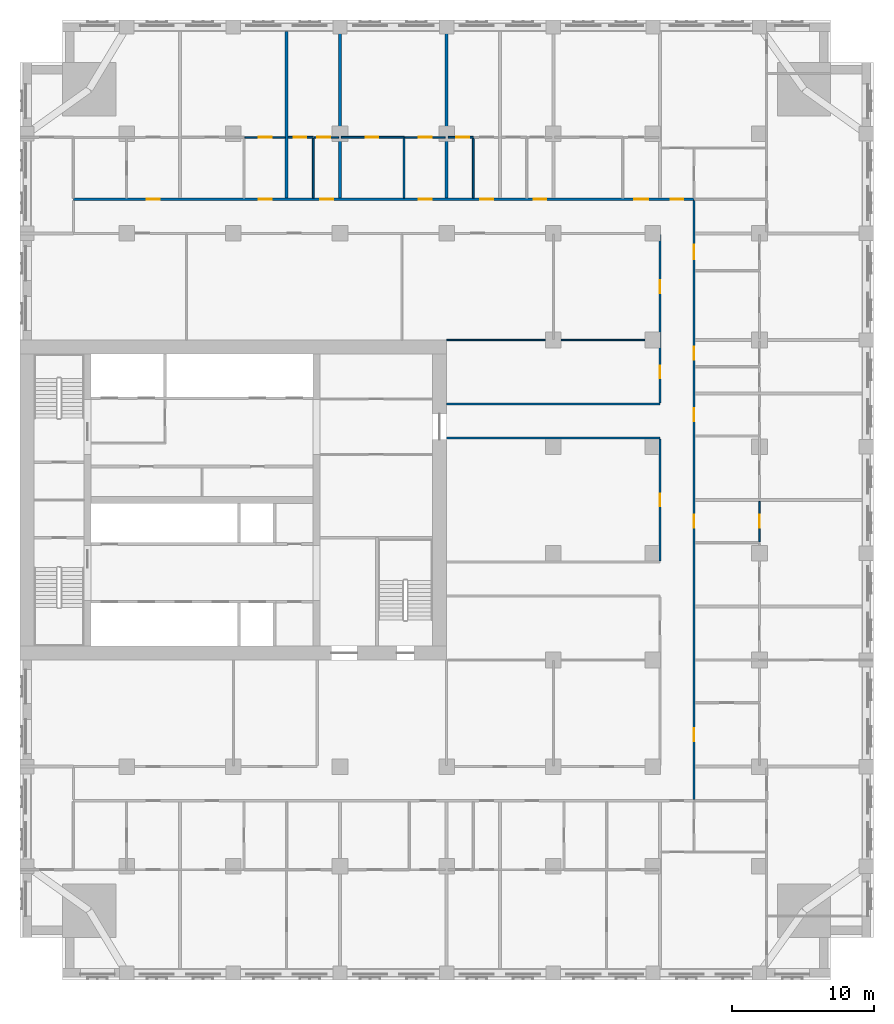
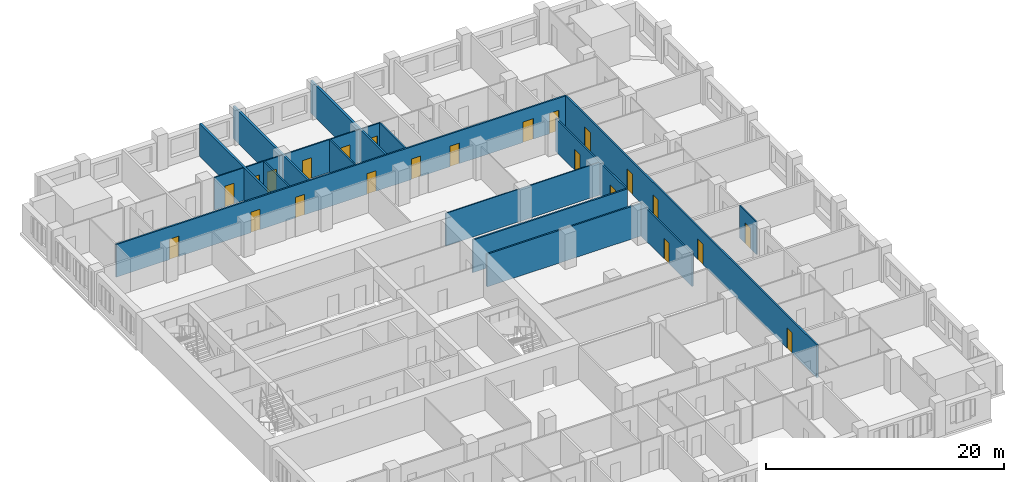
# One storey, part 9 of 14: 23 doors, 20 walls, 23 openings.
"""IFC4 building model written with IfcOpenShell, lengths in metres."""

from ifc_helpers import new_model, si_unit, direction, frame, frame_2d, origin, place, context, subcontext, project, spatial, rectangle, extrude, material, layer, layer_set, type_object, element, fill, save


model = new_model("IFC4")

# Units and contexts
model_context = context("Model", 3, precision=1e-05, world=origin(), true_north=direction((0.0, 1.0)))
body_context = subcontext(model_context, "Body", "Model", "MODEL_VIEW")
ifc_project = project(units=[si_unit("LENGTHUNIT", "METRE"), si_unit("AREAUNIT", "SQUARE_METRE"), si_unit("VOLUMEUNIT", "CUBIC_METRE"), si_unit("PLANEANGLEUNIT", "RADIAN"), si_unit("MASSUNIT", "GRAM", prefix="KILO")], contexts=[model_context])

# Site, building, storey
site_placement = place(None, origin())
site = spatial("IfcSite", under=ifc_project, at=site_placement, CompositionType="ELEMENT")
building_placement = place(site_placement, origin())
building = spatial("IfcBuilding", under=site, at=building_placement, Name="Tamorin Gate", CompositionType="ELEMENT")
storey_placement = place(building_placement, frame((0.0, 0.0, 107.89990234375)))
storey = spatial("IfcBuildingStorey", under=building, at=storey_placement, Name="L26", CompositionType="ELEMENT", Elevation=107.89990234375)

# Wall, openings, doors
ifc_material_1 = material(Name="Gypsum board partition")
ifc_layer_1 = layer(ifc_material_1, 0.14990234375)
ifc_layer_set_1 = layer_set([ifc_layer_1], Name="Corridor wall 150")
wall_type_1 = type_object("IfcWallType", Name="Corridor wall 150", PredefinedType="PARTITIONING", material=ifc_layer_set_1)
wall_1_placement = place(storey_placement, frame((33.75, 92.39990234375, 0.0), z_axis=(0.0, 0.0, 1.0), x_axis=(1.0, 0.0, 0.0)))
wall_1 = element("IfcWall", 1, at=wall_1_placement, inside=storey, type_object=wall_type_1, Name="Corridor wall 150", PredefinedType="PARTITIONING", context=body_context, shape_type="SweptSolid", body=[
    extrude(rectangle(XDim=43.64990234375, YDim=0.14990234375, at=frame_2d((21.824951171875, 0.0))), origin(), (0.0, 0.0, 1.0), 3.35009765625),
])
opening_1_placement = place(wall_1_placement, frame((5.175048828125, 0.0, 0.0)))
opening_1 = element("IfcOpeningElement", 2, at=opening_1_placement, cuts=wall_1, Name="Opening DH5023", PredefinedType="OPENING", context=body_context, shape_type="SweptSolid", body=[
    extrude(rectangle(XDim=0.89990234375, YDim=2.10009765625, at=frame_2d((0.449951171875, 1.050048828125))), frame((0.0, 0.0849609375, 0.0), z_axis=(0.0, -1.0, 0.0), x_axis=(1.0, 0.0, 0.0)), (0.0, 0.0, 1.0), 0.169921875),
])
opening_2_placement = place(wall_1_placement, frame((13.050048828125, 0.0, 0.0)))
opening_2 = element("IfcOpeningElement", 3, at=opening_2_placement, cuts=wall_1, Name="Opening DH5026", PredefinedType="OPENING", context=body_context, shape_type="SweptSolid", body=[
    extrude(rectangle(XDim=0.89990234375, YDim=2.10009765625, at=frame_2d((0.449951171875, 1.050048828125))), frame((0.0, 0.0849609375, 0.0), z_axis=(0.0, -1.0, 0.0), x_axis=(1.0, 0.0, 0.0)), (0.0, 0.0, 1.0), 0.169921875),
])
opening_3_placement = place(wall_1_placement, frame((17.362548828125, 0.0, 0.0)))
opening_3 = element("IfcOpeningElement", 4, at=opening_3_placement, cuts=wall_1, Name="Opening DH5029", PredefinedType="OPENING", context=body_context, shape_type="SweptSolid", body=[
    extrude(rectangle(XDim=0.89990234375, YDim=2.10009765625, at=frame_2d((0.449951171875, 1.050048828125))), frame((0.0, 0.0849609375, 0.0), z_axis=(0.0, -1.0, 0.0), x_axis=(1.0, 0.0, 0.0)), (0.0, 0.0, 1.0), 0.169921875),
])
opening_4_placement = place(wall_1_placement, frame((24.300048828125, 0.0, 0.0)))
opening_4 = element("IfcOpeningElement", 5, at=opening_4_placement, cuts=wall_1, Name="Opening DH5032", PredefinedType="OPENING", context=body_context, shape_type="SweptSolid", body=[
    extrude(rectangle(XDim=0.89990234375, YDim=2.10009765625, at=frame_2d((0.449951171875, 1.050048828125))), frame((0.0, 0.0849609375, 0.0), z_axis=(0.0, -1.0, 0.0), x_axis=(1.0, 0.0, 0.0)), (0.0, 0.0, 1.0), 0.169921875),
])
opening_5_placement = place(wall_1_placement, frame((28.612548828125, 0.0, 0.0)))
opening_5 = element("IfcOpeningElement", 6, at=opening_5_placement, cuts=wall_1, Name="Opening DH5035", PredefinedType="OPENING", context=body_context, shape_type="SweptSolid", body=[
    extrude(rectangle(XDim=0.89990234375, YDim=2.10009765625, at=frame_2d((0.449951171875, 1.050048828125))), frame((0.0, 0.0849609375, 0.0), z_axis=(0.0, -1.0, 0.0), x_axis=(1.0, 0.0, 0.0)), (0.0, 0.0, 1.0), 0.169921875),
])
opening_6_placement = place(wall_1_placement, frame((32.362548828125, 0.0, 0.0)))
opening_6 = element("IfcOpeningElement", 7, at=opening_6_placement, cuts=wall_1, Name="Opening DH5038", PredefinedType="OPENING", context=body_context, shape_type="SweptSolid", body=[
    extrude(rectangle(XDim=0.89990234375, YDim=2.10009765625, at=frame_2d((0.449951171875, 1.050048828125))), frame((0.0, 0.0849609375, 0.0), z_axis=(0.0, -1.0, 0.0), x_axis=(1.0, 0.0, 0.0)), (0.0, 0.0, 1.0), 0.169921875),
])
opening_7_placement = place(wall_1_placement, frame((39.4375, 0.0, 0.0)))
opening_7 = element("IfcOpeningElement", 8, at=opening_7_placement, cuts=wall_1, Name="Opening DH5041", PredefinedType="OPENING", context=body_context, shape_type="SweptSolid", body=[
    extrude(rectangle(XDim=1.0, YDim=2.10009765625, at=frame_2d((0.5, 1.050048828125))), frame((0.0, 0.0849609375, 0.0), z_axis=(0.0, -1.0, 0.0), x_axis=(1.0, 0.0, 0.0)), (0.0, 0.0, 1.0), 0.169921875),
])
opening_8_placement = place(wall_1_placement, frame((42.0, 0.0, 0.0)))
opening_8 = element("IfcOpeningElement", 9, at=opening_8_placement, cuts=wall_1, Name="Opening DH5066", PredefinedType="OPENING", context=body_context, shape_type="SweptSolid", body=[
    extrude(rectangle(XDim=0.89990234375, YDim=2.10009765625, at=frame_2d((0.449951171875, 1.050048828125))), frame((0.0, 0.0849609375, 0.0), z_axis=(0.0, -1.0, 0.0), x_axis=(1.0, 0.0, 0.0)), (0.0, 0.0, 1.0), 0.169921875),
])
ifc_material_2 = material(Name="Timber door leaf", Category="wood")
door_type_1 = type_object("IfcDoorType", Name="Door 1000 x 2100 FD30S", OperationType="NOTDEFINED", PredefinedType="DOOR", material=ifc_material_2)
door_1_placement = place(opening_7_placement, origin())
door_1 = element("IfcDoor", 10, at=door_1_placement, inside=storey, type_object=door_type_1, Name="Door DH5041", OperationType="SINGLE_SWING_LEFT", OverallHeight=2.10009765625, OverallWidth=1.0, PredefinedType="DOOR", context=body_context, shape_type="SweptSolid", body=[
    extrude(rectangle(XDim=1.0, YDim=2.10009765625, at=frame_2d((0.5, 1.050048828125))), frame((0.0, 0.02490234375, 0.0), z_axis=(0.0, -1.0, 0.0), x_axis=(1.0, 0.0, 0.0)), (0.0, 0.0, 1.0), 0.050048828125),
])
fill(opening_7, door_1)
door_type_2 = type_object("IfcDoorType", Name="Door 900 x 2100 FD30S", OperationType="NOTDEFINED", PredefinedType="DOOR", material=ifc_material_2)
door_2_placement = place(opening_1_placement, origin())
door_2 = element("IfcDoor", 11, at=door_2_placement, inside=storey, type_object=door_type_2, Name="Door DH5023", OperationType="SINGLE_SWING_LEFT", OverallHeight=2.10009765625, OverallWidth=0.89990234375, PredefinedType="DOOR", context=body_context, shape_type="SweptSolid", body=[
    extrude(rectangle(XDim=0.89990234375, YDim=2.10009765625, at=frame_2d((0.449951171875, 1.050048828125))), frame((0.0, 0.02490234375, 0.0), z_axis=(0.0, -1.0, 0.0), x_axis=(1.0, 0.0, 0.0)), (0.0, 0.0, 1.0), 0.050048828125),
])
fill(opening_1, door_2)
door_3_placement = place(opening_2_placement, origin())
door_3 = element("IfcDoor", 12, at=door_3_placement, inside=storey, type_object=door_type_2, Name="Door DH5026", OperationType="SINGLE_SWING_LEFT", OverallHeight=2.10009765625, OverallWidth=0.89990234375, PredefinedType="DOOR", context=body_context, shape_type="SweptSolid", body=[
    extrude(rectangle(XDim=0.89990234375, YDim=2.10009765625, at=frame_2d((0.449951171875, 1.050048828125))), frame((0.0, 0.02490234375, 0.0), z_axis=(0.0, -1.0, 0.0), x_axis=(1.0, 0.0, 0.0)), (0.0, 0.0, 1.0), 0.050048828125),
])
fill(opening_2, door_3)
door_4_placement = place(opening_3_placement, origin())
door_4 = element("IfcDoor", 13, at=door_4_placement, inside=storey, type_object=door_type_2, Name="Door DH5029", OperationType="SINGLE_SWING_LEFT", OverallHeight=2.10009765625, OverallWidth=0.89990234375, PredefinedType="DOOR", context=body_context, shape_type="SweptSolid", body=[
    extrude(rectangle(XDim=0.89990234375, YDim=2.10009765625, at=frame_2d((0.449951171875, 1.050048828125))), frame((0.0, 0.02490234375, 0.0), z_axis=(0.0, -1.0, 0.0), x_axis=(1.0, 0.0, 0.0)), (0.0, 0.0, 1.0), 0.050048828125),
])
fill(opening_3, door_4)
door_5_placement = place(opening_4_placement, origin())
door_5 = element("IfcDoor", 14, at=door_5_placement, inside=storey, type_object=door_type_2, Name="Door DH5032", OperationType="SINGLE_SWING_LEFT", OverallHeight=2.10009765625, OverallWidth=0.89990234375, PredefinedType="DOOR", context=body_context, shape_type="SweptSolid", body=[
    extrude(rectangle(XDim=0.89990234375, YDim=2.10009765625, at=frame_2d((0.449951171875, 1.050048828125))), frame((0.0, 0.02490234375, 0.0), z_axis=(0.0, -1.0, 0.0), x_axis=(1.0, 0.0, 0.0)), (0.0, 0.0, 1.0), 0.050048828125),
])
fill(opening_4, door_5)
door_6_placement = place(opening_5_placement, origin())
door_6 = element("IfcDoor", 15, at=door_6_placement, inside=storey, type_object=door_type_2, Name="Door DH5035", OperationType="SINGLE_SWING_LEFT", OverallHeight=2.10009765625, OverallWidth=0.89990234375, PredefinedType="DOOR", context=body_context, shape_type="SweptSolid", body=[
    extrude(rectangle(XDim=0.89990234375, YDim=2.10009765625, at=frame_2d((0.449951171875, 1.050048828125))), frame((0.0, 0.02490234375, 0.0), z_axis=(0.0, -1.0, 0.0), x_axis=(1.0, 0.0, 0.0)), (0.0, 0.0, 1.0), 0.050048828125),
])
fill(opening_5, door_6)
door_7_placement = place(opening_6_placement, origin())
door_7 = element("IfcDoor", 16, at=door_7_placement, inside=storey, type_object=door_type_2, Name="Door DH5038", OperationType="SINGLE_SWING_LEFT", OverallHeight=2.10009765625, OverallWidth=0.89990234375, PredefinedType="DOOR", context=body_context, shape_type="SweptSolid", body=[
    extrude(rectangle(XDim=0.89990234375, YDim=2.10009765625, at=frame_2d((0.449951171875, 1.050048828125))), frame((0.0, 0.02490234375, 0.0), z_axis=(0.0, -1.0, 0.0), x_axis=(1.0, 0.0, 0.0)), (0.0, 0.0, 1.0), 0.050048828125),
])
fill(opening_6, door_7)
door_8_placement = place(opening_8_placement, origin())
door_8 = element("IfcDoor", 17, at=door_8_placement, inside=storey, type_object=door_type_2, Name="Door DH5066", OperationType="SINGLE_SWING_RIGHT", OverallHeight=2.10009765625, OverallWidth=0.89990234375, PredefinedType="DOOR", context=body_context, shape_type="SweptSolid", body=[
    extrude(rectangle(XDim=0.89990234375, YDim=2.10009765625, at=frame_2d((0.449951171875, 1.050048828125))), frame((0.0, 0.02490234375, 0.0), z_axis=(0.0, -1.0, 0.0), x_axis=(1.0, 0.0, 0.0)), (0.0, 0.0, 1.0), 0.050048828125),
])
fill(opening_8, door_8)

# Wall, opening, door
wall_2_placement = place(storey_placement, frame((75.0, 66.97509765625, 0.0), z_axis=(0.0, 0.0, 1.0), x_axis=(0.0, 1.0, 0.0)))
wall_2 = element("IfcWall", 18, at=wall_2_placement, inside=storey, type_object=wall_type_1, Name="Corridor wall 150", PredefinedType="PARTITIONING", context=body_context, shape_type="SweptSolid", body=[
    extrude(rectangle(XDim=8.5498046875, YDim=0.14990234375, at=frame_2d((4.27490234375, 0.0))), origin(), (0.0, 0.0, 1.0), 3.35009765625),
])
opening_9_placement = place(wall_2_placement, frame((3.824951171875, 0.0, 0.0)))
opening_9 = element("IfcOpeningElement", 19, at=opening_9_placement, cuts=wall_2, Name="Opening DH5081", PredefinedType="OPENING", context=body_context, shape_type="SweptSolid", body=[
    extrude(rectangle(XDim=0.89990234375, YDim=2.10009765625, at=frame_2d((0.449951171875, 1.050048828125))), frame((0.0, 0.0849609375, 0.0), z_axis=(0.0, -1.0, 0.0), x_axis=(1.0, 0.0, 0.0)), (0.0, 0.0, 1.0), 0.169921875),
])
door_9_placement = place(opening_9_placement, origin())
door_9 = element("IfcDoor", 20, at=door_9_placement, inside=storey, type_object=door_type_2, Name="Door DH5081", OperationType="SINGLE_SWING_LEFT", OverallHeight=2.10009765625, OverallWidth=0.89990234375, PredefinedType="DOOR", context=body_context, shape_type="SweptSolid", body=[
    extrude(rectangle(XDim=0.89990234375, YDim=2.10009765625, at=frame_2d((0.449951171875, 1.050048828125))), frame((0.0, 0.02490234375, 0.0), z_axis=(0.0, -1.0, 0.0), x_axis=(1.0, 0.0, 0.0)), (0.0, 0.0, 1.0), 0.050048828125),
])
fill(opening_9, door_9)

# Wall, openings, doors
wall_3_placement = place(storey_placement, frame((75.0, 78.074951171875, 0.0), z_axis=(0.0, 0.0, 1.0), x_axis=(0.0, 1.0, 0.0)))
wall_3 = element("IfcWall", 21, at=wall_3_placement, inside=storey, type_object=wall_type_1, Name="Corridor wall 150", PredefinedType="PARTITIONING", context=body_context, shape_type="SweptSolid", body=[
    extrude(rectangle(XDim=11.85009765625, YDim=0.14990234375, at=frame_2d((5.925048828125, 0.0))), origin(), (0.0, 0.0, 1.0), 3.35009765625),
])
opening_10_placement = place(wall_3_placement, frame((7.72509765625, 0.0, 0.0)))
opening_10 = element("IfcOpeningElement", 22, at=opening_10_placement, cuts=wall_3, Name="Opening DH5079", PredefinedType="OPENING", context=body_context, shape_type="SweptSolid", body=[
    extrude(rectangle(XDim=0.89990234375, YDim=2.10009765625, at=frame_2d((0.449951171875, 1.050048828125))), frame((0.0, 0.0849609375, 0.0), z_axis=(0.0, -1.0, 0.0), x_axis=(1.0, 0.0, 0.0)), (0.0, 0.0, 1.0), 0.169921875),
])
opening_11_placement = place(wall_3_placement, frame((1.72509765625, 0.0, 0.0)))
opening_11 = element("IfcOpeningElement", 23, at=opening_11_placement, cuts=wall_3, Name="Opening DH5082", PredefinedType="OPENING", context=body_context, shape_type="SweptSolid", body=[
    extrude(rectangle(XDim=0.89990234375, YDim=2.10009765625, at=frame_2d((0.449951171875, 1.050048828125))), frame((0.0, 0.0849609375, 0.0), z_axis=(0.0, -1.0, 0.0), x_axis=(1.0, 0.0, 0.0)), (0.0, 0.0, 1.0), 0.169921875),
])
door_10_placement = place(opening_10_placement, origin())
door_10 = element("IfcDoor", 24, at=door_10_placement, inside=storey, type_object=door_type_2, Name="Door DH5079", OperationType="SINGLE_SWING_LEFT", OverallHeight=2.10009765625, OverallWidth=0.89990234375, PredefinedType="DOOR", context=body_context, shape_type="SweptSolid", body=[
    extrude(rectangle(XDim=0.89990234375, YDim=2.10009765625, at=frame_2d((0.449951171875, 1.050048828125))), frame((0.0, 0.02490234375, 0.0), z_axis=(0.0, -1.0, 0.0), x_axis=(1.0, 0.0, 0.0)), (0.0, 0.0, 1.0), 0.050048828125),
])
fill(opening_10, door_10)
door_11_placement = place(opening_11_placement, origin())
door_11 = element("IfcDoor", 25, at=door_11_placement, inside=storey, type_object=door_type_2, Name="Door DH5082", OperationType="SINGLE_SWING_LEFT", OverallHeight=2.10009765625, OverallWidth=0.89990234375, PredefinedType="DOOR", context=body_context, shape_type="SweptSolid", body=[
    extrude(rectangle(XDim=0.89990234375, YDim=2.10009765625, at=frame_2d((0.449951171875, 1.050048828125))), frame((0.0, 0.02490234375, 0.0), z_axis=(0.0, -1.0, 0.0), x_axis=(1.0, 0.0, 0.0)), (0.0, 0.0, 1.0), 0.050048828125),
])
fill(opening_11, door_11)

wall_4_placement = place(storey_placement, frame((77.39990234375, 50.175048828125, 0.0), z_axis=(0.0, 0.0, 1.0), x_axis=(0.0, 1.0, 0.0)))
wall_4 = element("IfcWall", 26, at=wall_4_placement, inside=storey, type_object=wall_type_1, Name="Corridor wall 150", PredefinedType="PARTITIONING", context=body_context, shape_type="SweptSolid", body=[
    extrude(rectangle(XDim=42.14990234375, YDim=0.14990234375, at=frame_2d((21.074951171875, 0.0))), origin(), (0.0, 0.0, 1.0), 3.35009765625),
])
opening_12_placement = place(wall_4_placement, frame((4.125, 0.0, 0.0)))
opening_12 = element("IfcOpeningElement", 27, at=opening_12_placement, cuts=wall_4, Name="Opening DH5043", PredefinedType="OPENING", context=body_context, shape_type="SweptSolid", body=[
    extrude(rectangle(XDim=0.89990234375, YDim=2.10009765625, at=frame_2d((0.449951171875, 1.050048828125))), frame((0.0, 0.0849609375, 0.0), z_axis=(0.0, -1.0, 0.0), x_axis=(1.0, 0.0, 0.0)), (0.0, 0.0, 1.0), 0.169921875),
])
opening_13_placement = place(wall_4_placement, frame((19.125, 0.0, 0.0)))
opening_13 = element("IfcOpeningElement", 28, at=opening_13_placement, cuts=wall_4, Name="Opening DH5049", PredefinedType="OPENING", context=body_context, shape_type="SweptSolid", body=[
    extrude(rectangle(XDim=0.89990234375, YDim=2.10009765625, at=frame_2d((0.449951171875, 1.050048828125))), frame((0.0, 0.0849609375, 0.0), z_axis=(0.0, -1.0, 0.0), x_axis=(1.0, 0.0, 0.0)), (0.0, 0.0, 1.0), 0.169921875),
])
opening_14_placement = place(wall_4_placement, frame((26.625, 0.0, 0.0)))
opening_14 = element("IfcOpeningElement", 29, at=opening_14_placement, cuts=wall_4, Name="Opening DH5052", PredefinedType="OPENING", context=body_context, shape_type="SweptSolid", body=[
    extrude(rectangle(XDim=0.89990234375, YDim=2.10009765625, at=frame_2d((0.449951171875, 1.050048828125))), frame((0.0, 0.0849609375, 0.0), z_axis=(0.0, -1.0, 0.0), x_axis=(1.0, 0.0, 0.0)), (0.0, 0.0, 1.0), 0.169921875),
])
opening_15_placement = place(wall_4_placement, frame((30.9375, 0.0, 0.0)))
opening_15 = element("IfcOpeningElement", 30, at=opening_15_placement, cuts=wall_4, Name="Opening DH5055", PredefinedType="OPENING", context=body_context, shape_type="SweptSolid", body=[
    extrude(rectangle(XDim=0.89990234375, YDim=2.10009765625, at=frame_2d((0.449951171875, 1.050048828125))), frame((0.0, 0.0849609375, 0.0), z_axis=(0.0, -1.0, 0.0), x_axis=(1.0, 0.0, 0.0)), (0.0, 0.0, 1.0), 0.169921875),
])
opening_16_placement = place(wall_4_placement, frame((38.012451171875, 0.0, 0.0)))
opening_16 = element("IfcOpeningElement", 31, at=opening_16_placement, cuts=wall_4, Name="Opening DH5058", PredefinedType="OPENING", context=body_context, shape_type="SweptSolid", body=[
    extrude(rectangle(XDim=1.0, YDim=2.10009765625, at=frame_2d((0.5, 1.050048828125))), frame((0.0, 0.0849609375, 0.0), z_axis=(0.0, -1.0, 0.0), x_axis=(1.0, 0.0, 0.0)), (0.0, 0.0, 1.0), 0.169921875),
])
door_12_placement = place(opening_16_placement, origin())
door_12 = element("IfcDoor", 32, at=door_12_placement, inside=storey, type_object=door_type_1, Name="Door DH5058", OperationType="SINGLE_SWING_RIGHT", OverallHeight=2.10009765625, OverallWidth=1.0, PredefinedType="DOOR", context=body_context, shape_type="SweptSolid", body=[
    extrude(rectangle(XDim=1.0, YDim=2.10009765625, at=frame_2d((0.5, 1.050048828125))), frame((0.0, 0.02490234375, 0.0), z_axis=(0.0, -1.0, 0.0), x_axis=(1.0, 0.0, 0.0)), (0.0, 0.0, 1.0), 0.050048828125),
])
fill(opening_16, door_12)
door_13_placement = place(opening_12_placement, origin())
door_13 = element("IfcDoor", 33, at=door_13_placement, inside=storey, type_object=door_type_2, Name="Door DH5043", OperationType="SINGLE_SWING_RIGHT", OverallHeight=2.10009765625, OverallWidth=0.89990234375, PredefinedType="DOOR", context=body_context, shape_type="SweptSolid", body=[
    extrude(rectangle(XDim=0.89990234375, YDim=2.10009765625, at=frame_2d((0.449951171875, 1.050048828125))), frame((0.0, 0.02490234375, 0.0), z_axis=(0.0, -1.0, 0.0), x_axis=(1.0, 0.0, 0.0)), (0.0, 0.0, 1.0), 0.050048828125),
])
fill(opening_12, door_13)
door_14_placement = place(opening_13_placement, origin())
door_14 = element("IfcDoor", 34, at=door_14_placement, inside=storey, type_object=door_type_2, Name="Door DH5049", OperationType="SINGLE_SWING_RIGHT", OverallHeight=2.10009765625, OverallWidth=0.89990234375, PredefinedType="DOOR", context=body_context, shape_type="SweptSolid", body=[
    extrude(rectangle(XDim=0.89990234375, YDim=2.10009765625, at=frame_2d((0.449951171875, 1.050048828125))), frame((0.0, 0.02490234375, 0.0), z_axis=(0.0, -1.0, 0.0), x_axis=(1.0, 0.0, 0.0)), (0.0, 0.0, 1.0), 0.050048828125),
])
fill(opening_13, door_14)
door_15_placement = place(opening_14_placement, origin())
door_15 = element("IfcDoor", 35, at=door_15_placement, inside=storey, type_object=door_type_2, Name="Door DH5052", OperationType="SINGLE_SWING_RIGHT", OverallHeight=2.10009765625, OverallWidth=0.89990234375, PredefinedType="DOOR", context=body_context, shape_type="SweptSolid", body=[
    extrude(rectangle(XDim=0.89990234375, YDim=2.10009765625, at=frame_2d((0.449951171875, 1.050048828125))), frame((0.0, 0.02490234375, 0.0), z_axis=(0.0, -1.0, 0.0), x_axis=(1.0, 0.0, 0.0)), (0.0, 0.0, 1.0), 0.050048828125),
])
fill(opening_14, door_15)
door_16_placement = place(opening_15_placement, origin())
door_16 = element("IfcDoor", 36, at=door_16_placement, inside=storey, type_object=door_type_2, Name="Door DH5055", OperationType="SINGLE_SWING_RIGHT", OverallHeight=2.10009765625, OverallWidth=0.89990234375, PredefinedType="DOOR", context=body_context, shape_type="SweptSolid", body=[
    extrude(rectangle(XDim=0.89990234375, YDim=2.10009765625, at=frame_2d((0.449951171875, 1.050048828125))), frame((0.0, 0.02490234375, 0.0), z_axis=(0.0, -1.0, 0.0), x_axis=(1.0, 0.0, 0.0)), (0.0, 0.0, 1.0), 0.050048828125),
])
fill(opening_15, door_16)

# Walls
ifc_layer_2 = layer(ifc_material_1, 0.199951171875)
ifc_layer_set_2 = layer_set([ifc_layer_2], Name="Demising wall 200")
wall_type_2 = type_object("IfcWallType", Name="Demising wall 200", PredefinedType="PARTITIONING", material=ifc_layer_set_2)
wall_5_placement = place(storey_placement, frame((48.75, 92.47509765625, 0.0), z_axis=(0.0, 0.0, 1.0), x_axis=(0.0, 1.0, 0.0)))
element("IfcWall", 37, at=wall_5_placement, inside=storey, type_object=wall_type_2, Name="Demising wall 200", PredefinedType="PARTITIONING", context=body_context, shape_type="SweptSolid", body=[
    extrude(rectangle(XDim=11.71484375, YDim=0.199951171875, at=frame_2d((5.857421875, 0.0))), origin(), (0.0, 0.0, 1.0), 3.35009765625),
])
for number, where, z_axis, x_axis, name in (
    (38, (52.5, 92.47509765625, 0.0), (0.0, 0.0, 1.0), (0.0, 1.0, 0.0), "Demising wall 200"),
    (39, (60.0, 92.47509765625, 0.0), (0.0, 0.0, 1.0), (0.0, 1.0, 0.0), "Demising wall 200"),
):
    element("IfcWall", number, at=place(storey_placement, frame(where, z_axis=z_axis, x_axis=x_axis)), inside=storey, type_object=wall_type_2, Name=name, PredefinedType="PARTITIONING", context=body_context, shape_type="SweptSolid", body=[
        extrude(rectangle(XDim=12.52490234375, YDim=0.199951171875, at=frame_2d((6.262451171875, 0.0))), origin(), (0.0, 0.0, 1.0), 3.35009765625),
    ])
ifc_layer_3 = layer(ifc_material_1, 0.14990234375)
ifc_layer_set_3 = layer_set([ifc_layer_3], Name="Lobby wall 150")
wall_type_3 = type_object("IfcWallType", Name="Lobby wall 150", PredefinedType="PARTITIONING", material=ifc_layer_set_3)
for number, where, z_axis, x_axis, name in (
    (40, (60.0, 75.60009765625, 0.0), (0.0, 0.0, 1.0), (1.0, 0.0, 0.0), "Lobby wall 150"),
    (41, (60.0, 78.0, 0.0), (0.0, 0.0, 1.0), (1.0, 0.0, 0.0), "Lobby wall 150"),
):
    element("IfcWall", number, at=place(storey_placement, frame(where, z_axis=z_axis, x_axis=x_axis)), inside=storey, type_object=wall_type_3, Name=name, PredefinedType="PARTITIONING", context=body_context, shape_type="SweptSolid", body=[
        extrude(rectangle(XDim=15.0, YDim=0.14990234375, at=frame_2d((7.5, 0.0))), origin(), (0.0, 0.0, 1.0), 3.35009765625),
    ])
ifc_layer_4 = layer(ifc_material_1, 0.10009765625)
ifc_layer_set_4 = layer_set([ifc_layer_4], Name="Room partition 100")
wall_type_4 = type_object("IfcWallType", Name="Room partition 100", PredefinedType="PARTITIONING", material=ifc_layer_set_4)
wall_6_placement = place(storey_placement, frame((60.0, 82.5, 0.0), z_axis=(0.0, 0.0, 1.0), x_axis=(1.0, 0.0, 0.0)))
element("IfcWall", 42, at=wall_6_placement, inside=storey, type_object=wall_type_4, Name="Room partition 100", PredefinedType="PARTITIONING", context=body_context, shape_type="SweptSolid", body=[
    extrude(rectangle(XDim=14.925048828125, YDim=0.10009765625, at=frame_2d((7.46240234375, 0.0))), origin(), (0.0, 0.0, 1.0), 3.35009765625),
])

# Wall, opening, door
wall_7_placement = place(storey_placement, frame((45.8125, 96.75, 0.0), z_axis=(0.0, 0.0, 1.0), x_axis=(1.0, 0.0, 0.0)))
wall_7 = element("IfcWall", 43, at=wall_7_placement, inside=storey, type_object=wall_type_4, Name="Room partition 100", PredefinedType="PARTITIONING", context=body_context, shape_type="SweptSolid", body=[
    extrude(rectangle(XDim=2.83740234375, YDim=0.10009765625, at=frame_2d((1.418701171875, 0.0))), origin(), (0.0, 0.0, 1.0), 3.35009765625),
])
opening_17_placement = place(wall_7_placement, frame((0.987548828125, 0.0, 0.0)))
opening_17 = element("IfcOpeningElement", 44, at=opening_17_placement, cuts=wall_7, Name="Opening DH5027", PredefinedType="OPENING", context=body_context, shape_type="SweptSolid", body=[
    extrude(rectangle(XDim=0.89990234375, YDim=2.10009765625, at=frame_2d((0.449951171875, 1.050048828125))), frame((0.0, 0.06005859375, 0.0), z_axis=(0.0, -1.0, 0.0), x_axis=(1.0, 0.0, 0.0)), (0.0, 0.0, 1.0), 0.1201171875),
])
door_type_3 = type_object("IfcDoorType", Name="Door 900 x 2100", OperationType="NOTDEFINED", PredefinedType="DOOR", material=ifc_material_2)
door_17_placement = place(opening_17_placement, origin())
door_17 = element("IfcDoor", 45, at=door_17_placement, inside=storey, type_object=door_type_3, Name="Door DH5027", OperationType="SINGLE_SWING_RIGHT", OverallHeight=2.10009765625, OverallWidth=0.89990234375, PredefinedType="DOOR", context=body_context, shape_type="SweptSolid", body=[
    extrude(rectangle(XDim=0.89990234375, YDim=2.10009765625, at=frame_2d((0.449951171875, 1.050048828125))), frame((0.0, 0.02490234375, 0.0), z_axis=(0.0, -1.0, 0.0), x_axis=(1.0, 0.0, 0.0)), (0.0, 0.0, 1.0), 0.050048828125),
])
fill(opening_17, door_17)

wall_8_placement = place(storey_placement, frame((50.6875, 96.75, 0.0), z_axis=(0.0, 0.0, 1.0), x_axis=(1.0, 0.0, 0.0)))
wall_8 = element("IfcWall", 46, at=wall_8_placement, inside=storey, type_object=wall_type_4, Name="Room partition 100", PredefinedType="PARTITIONING", context=body_context, shape_type="SweptSolid", body=[
    extrude(rectangle(XDim=1.71240234375, YDim=0.10009765625, at=frame_2d((0.856201171875, 0.0))), origin(), (0.0, 0.0, 1.0), 3.35009765625),
])
opening_18_placement = place(wall_8_placement, frame((0.22509765625, 0.0, 0.0)))
opening_18 = element("IfcOpeningElement", 47, at=opening_18_placement, cuts=wall_8, Name="Opening DH5030", PredefinedType="OPENING", context=body_context, shape_type="SweptSolid", body=[
    extrude(rectangle(XDim=0.89990234375, YDim=2.10009765625, at=frame_2d((0.449951171875, 1.050048828125))), frame((0.0, 0.06005859375, 0.0), z_axis=(0.0, -1.0, 0.0), x_axis=(1.0, 0.0, 0.0)), (0.0, 0.0, 1.0), 0.1201171875),
])
door_18_placement = place(opening_18_placement, origin())
door_18 = element("IfcDoor", 48, at=door_18_placement, inside=storey, type_object=door_type_3, Name="Door DH5030", OperationType="SINGLE_SWING_RIGHT", OverallHeight=2.10009765625, OverallWidth=0.89990234375, PredefinedType="DOOR", context=body_context, shape_type="SweptSolid", body=[
    extrude(rectangle(XDim=0.89990234375, YDim=2.10009765625, at=frame_2d((0.449951171875, 1.050048828125))), frame((0.0, 0.02490234375, 0.0), z_axis=(0.0, -1.0, 0.0), x_axis=(1.0, 0.0, 0.0)), (0.0, 0.0, 1.0), 0.050048828125),
])
fill(opening_18, door_18)

wall_9_placement = place(storey_placement, frame((57.0625, 96.75, 0.0), z_axis=(0.0, 0.0, 1.0), x_axis=(1.0, 0.0, 0.0)))
wall_9 = element("IfcWall", 49, at=wall_9_placement, inside=storey, type_object=wall_type_4, Name="Room partition 100", PredefinedType="PARTITIONING", context=body_context, shape_type="SweptSolid", body=[
    extrude(rectangle(XDim=2.83740234375, YDim=0.10009765625, at=frame_2d((1.418701171875, 0.0))), origin(), (0.0, 0.0, 1.0), 3.35009765625),
])
opening_19_placement = place(wall_9_placement, frame((0.987548828125, 0.0, 0.0)))
opening_19 = element("IfcOpeningElement", 50, at=opening_19_placement, cuts=wall_9, Name="Opening DH5033", PredefinedType="OPENING", context=body_context, shape_type="SweptSolid", body=[
    extrude(rectangle(XDim=0.89990234375, YDim=2.10009765625, at=frame_2d((0.449951171875, 1.050048828125))), frame((0.0, 0.06005859375, 0.0), z_axis=(0.0, -1.0, 0.0), x_axis=(1.0, 0.0, 0.0)), (0.0, 0.0, 1.0), 0.1201171875),
])
door_19_placement = place(opening_19_placement, origin())
door_19 = element("IfcDoor", 51, at=door_19_placement, inside=storey, type_object=door_type_3, Name="Door DH5033", OperationType="SINGLE_SWING_RIGHT", OverallHeight=2.10009765625, OverallWidth=0.89990234375, PredefinedType="DOOR", context=body_context, shape_type="SweptSolid", body=[
    extrude(rectangle(XDim=0.89990234375, YDim=2.10009765625, at=frame_2d((0.449951171875, 1.050048828125))), frame((0.0, 0.02490234375, 0.0), z_axis=(0.0, -1.0, 0.0), x_axis=(1.0, 0.0, 0.0)), (0.0, 0.0, 1.0), 0.050048828125),
])
fill(opening_19, door_19)

wall_10_placement = place(storey_placement, frame((82.0, 68.3125, 0.0), z_axis=(0.0, 0.0, 1.0), x_axis=(0.0, 1.0, 0.0)))
wall_10 = element("IfcWall", 52, at=wall_10_placement, inside=storey, type_object=wall_type_4, Name="Room partition 100", PredefinedType="PARTITIONING", context=body_context, shape_type="SweptSolid", body=[
    extrude(rectangle(XDim=2.83740234375, YDim=0.10009765625, at=frame_2d((1.418701171875, 0.0))), origin(), (0.0, 0.0, 1.0), 3.35009765625),
])
opening_20_placement = place(wall_10_placement, frame((0.987548828125, 0.0, 0.0)))
opening_20 = element("IfcOpeningElement", 53, at=opening_20_placement, cuts=wall_10, Name="Opening DH5050", PredefinedType="OPENING", context=body_context, shape_type="SweptSolid", body=[
    extrude(rectangle(XDim=0.89990234375, YDim=2.10009765625, at=frame_2d((0.449951171875, 1.050048828125))), frame((0.0, 0.06005859375, 0.0), z_axis=(0.0, -1.0, 0.0), x_axis=(1.0, 0.0, 0.0)), (0.0, 0.0, 1.0), 0.1201171875),
])
door_20_placement = place(opening_20_placement, origin())
door_20 = element("IfcDoor", 54, at=door_20_placement, inside=storey, type_object=door_type_3, Name="Door DH5050", OperationType="SINGLE_SWING_LEFT", OverallHeight=2.10009765625, OverallWidth=0.89990234375, PredefinedType="DOOR", context=body_context, shape_type="SweptSolid", body=[
    extrude(rectangle(XDim=0.89990234375, YDim=2.10009765625, at=frame_2d((0.449951171875, 1.050048828125))), frame((0.0, 0.02490234375, 0.0), z_axis=(0.0, -1.0, 0.0), x_axis=(1.0, 0.0, 0.0)), (0.0, 0.0, 1.0), 0.050048828125),
])
fill(opening_20, door_20)

ifc_layer_5 = layer(ifc_material_1, 0.125)
ifc_layer_set_5 = layer_set([ifc_layer_5], Name="Wet wall 125")
wall_type_5 = type_object("IfcWallType", Name="Wet wall 125", PredefinedType="PARTITIONING", material=ifc_layer_set_5)
wall_11_placement = place(storey_placement, frame((48.85009765625, 96.75, 0.0), z_axis=(0.0, 0.0, 1.0), x_axis=(1.0, 0.0, 0.0)))
wall_11 = element("IfcWall", 55, at=wall_11_placement, inside=storey, type_object=wall_type_5, Name="Wet wall 125", PredefinedType="PARTITIONING", context=body_context, shape_type="SweptSolid", body=[
    extrude(rectangle(XDim=1.77490234375, YDim=0.125, at=frame_2d((0.887451171875, 0.0))), origin(), (0.0, 0.0, 1.0), 3.35009765625),
])
opening_21_placement = place(wall_11_placement, frame((0.387451171875, 0.0, 0.0)))
opening_21 = element("IfcOpeningElement", 56, at=opening_21_placement, cuts=wall_11, Name="Opening DH5028", PredefinedType="OPENING", context=body_context, shape_type="SweptSolid", body=[
    extrude(rectangle(XDim=0.89990234375, YDim=2.10009765625, at=frame_2d((0.449951171875, 1.050048828125))), frame((0.0, 0.072509765625, 0.0), z_axis=(0.0, -1.0, 0.0), x_axis=(1.0, 0.0, 0.0)), (0.0, 0.0, 1.0), 0.14501953125),
])
door_21_placement = place(opening_21_placement, origin())
door_21 = element("IfcDoor", 57, at=door_21_placement, inside=storey, type_object=door_type_3, Name="Door DH5028", OperationType="SINGLE_SWING_RIGHT", OverallHeight=2.10009765625, OverallWidth=0.89990234375, PredefinedType="DOOR", context=body_context, shape_type="SweptSolid", body=[
    extrude(rectangle(XDim=0.89990234375, YDim=2.10009765625, at=frame_2d((0.449951171875, 1.050048828125))), frame((0.0, 0.02490234375, 0.0), z_axis=(0.0, -1.0, 0.0), x_axis=(1.0, 0.0, 0.0)), (0.0, 0.0, 1.0), 0.050048828125),
])
fill(opening_21, door_21)

wall_12_placement = place(storey_placement, frame((52.60009765625, 96.75, 0.0), z_axis=(0.0, 0.0, 1.0), x_axis=(1.0, 0.0, 0.0)))
wall_12 = element("IfcWall", 58, at=wall_12_placement, inside=storey, type_object=wall_type_5, Name="Wet wall 125", PredefinedType="PARTITIONING", context=body_context, shape_type="SweptSolid", body=[
    extrude(rectangle(XDim=4.39990234375, YDim=0.125, at=frame_2d((2.199951171875, 0.0))), origin(), (0.0, 0.0, 1.0), 3.35009765625),
])
opening_22_placement = place(wall_12_placement, frame((1.699951171875, 0.0, 0.0)))
opening_22 = element("IfcOpeningElement", 59, at=opening_22_placement, cuts=wall_12, Name="Opening DH5031", PredefinedType="OPENING", context=body_context, shape_type="SweptSolid", body=[
    extrude(rectangle(XDim=0.89990234375, YDim=2.10009765625, at=frame_2d((0.449951171875, 1.050048828125))), frame((0.0, 0.072509765625, 0.0), z_axis=(0.0, -1.0, 0.0), x_axis=(1.0, 0.0, 0.0)), (0.0, 0.0, 1.0), 0.14501953125),
])
door_22_placement = place(opening_22_placement, origin())
door_22 = element("IfcDoor", 60, at=door_22_placement, inside=storey, type_object=door_type_3, Name="Door DH5031", OperationType="SINGLE_SWING_RIGHT", OverallHeight=2.10009765625, OverallWidth=0.89990234375, PredefinedType="DOOR", context=body_context, shape_type="SweptSolid", body=[
    extrude(rectangle(XDim=0.89990234375, YDim=2.10009765625, at=frame_2d((0.449951171875, 1.050048828125))), frame((0.0, 0.02490234375, 0.0), z_axis=(0.0, -1.0, 0.0), x_axis=(1.0, 0.0, 0.0)), (0.0, 0.0, 1.0), 0.050048828125),
])
fill(opening_22, door_22)

wall_13_placement = place(storey_placement, frame((60.10009765625, 96.75, 0.0), z_axis=(0.0, 0.0, 1.0), x_axis=(1.0, 0.0, 0.0)))
wall_13 = element("IfcWall", 61, at=wall_13_placement, inside=storey, type_object=wall_type_5, Name="Wet wall 125", PredefinedType="PARTITIONING", context=body_context, shape_type="SweptSolid", body=[
    extrude(rectangle(XDim=1.77490234375, YDim=0.125, at=frame_2d((0.887451171875, 0.0))), origin(), (0.0, 0.0, 1.0), 3.35009765625),
])
opening_23_placement = place(wall_13_placement, frame((0.58740234375, 0.0, 0.0)))
opening_23 = element("IfcOpeningElement", 62, at=opening_23_placement, cuts=wall_13, Name="Opening DH5034", PredefinedType="OPENING", context=body_context, shape_type="SweptSolid", body=[
    extrude(rectangle(XDim=0.89990234375, YDim=2.10009765625, at=frame_2d((0.449951171875, 1.050048828125))), frame((0.0, 0.072509765625, 0.0), z_axis=(0.0, -1.0, 0.0), x_axis=(1.0, 0.0, 0.0)), (0.0, 0.0, 1.0), 0.14501953125),
])
door_23_placement = place(opening_23_placement, origin())
door_23 = element("IfcDoor", 63, at=door_23_placement, inside=storey, type_object=door_type_3, Name="Door DH5034", OperationType="SINGLE_SWING_LEFT", OverallHeight=2.10009765625, OverallWidth=0.89990234375, PredefinedType="DOOR", context=body_context, shape_type="SweptSolid", body=[
    extrude(rectangle(XDim=0.89990234375, YDim=2.10009765625, at=frame_2d((0.449951171875, 1.050048828125))), frame((0.0, 0.02490234375, 0.0), z_axis=(0.0, -1.0, 0.0), x_axis=(1.0, 0.0, 0.0)), (0.0, 0.0, 1.0), 0.050048828125),
])
fill(opening_23, door_23)

# Walls
for number, where, z_axis, x_axis, name in (
    (64, (50.625, 92.47509765625, 0.0), (0.0, 0.0, 1.0), (0.0, 1.0, 0.0), "Wet wall 125"),
    (65, (57.0, 92.47509765625, 0.0), (0.0, 0.0, 1.0), (0.0, 1.0, 0.0), "Wet wall 125"),
    (66, (61.875, 92.47509765625, 0.0), (0.0, 0.0, 1.0), (0.0, 1.0, 0.0), "Wet wall 125"),
):
    element("IfcWall", number, at=place(storey_placement, frame(where, z_axis=z_axis, x_axis=x_axis)), inside=storey, type_object=wall_type_5, Name=name, PredefinedType="PARTITIONING", context=body_context, shape_type="SweptSolid", body=[
        extrude(rectangle(XDim=4.21240234375, YDim=0.125, at=frame_2d((2.106201171875, 0.0))), origin(), (0.0, 0.0, 1.0), 3.35009765625),
    ])

save(model, "model.ifc")
